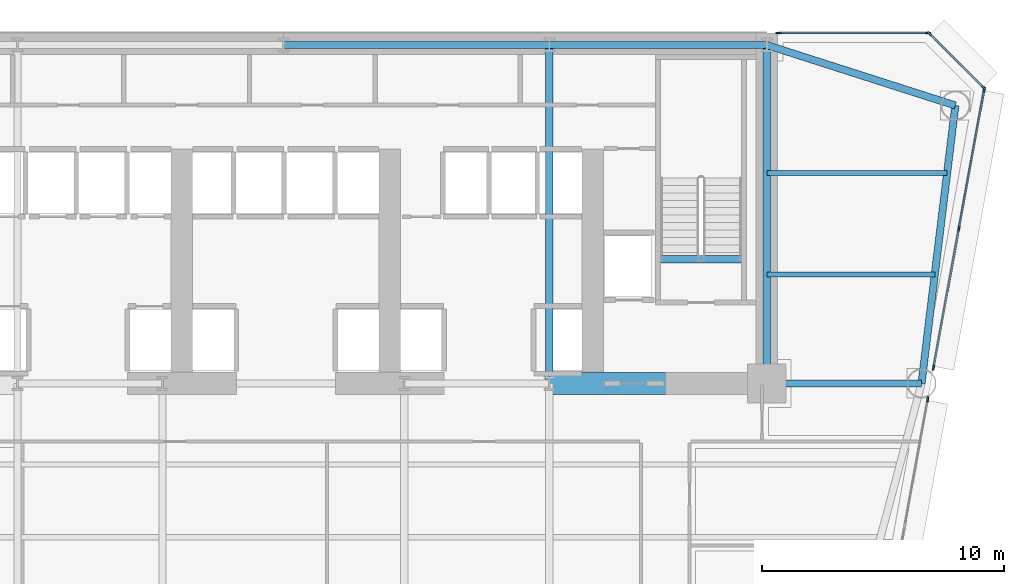
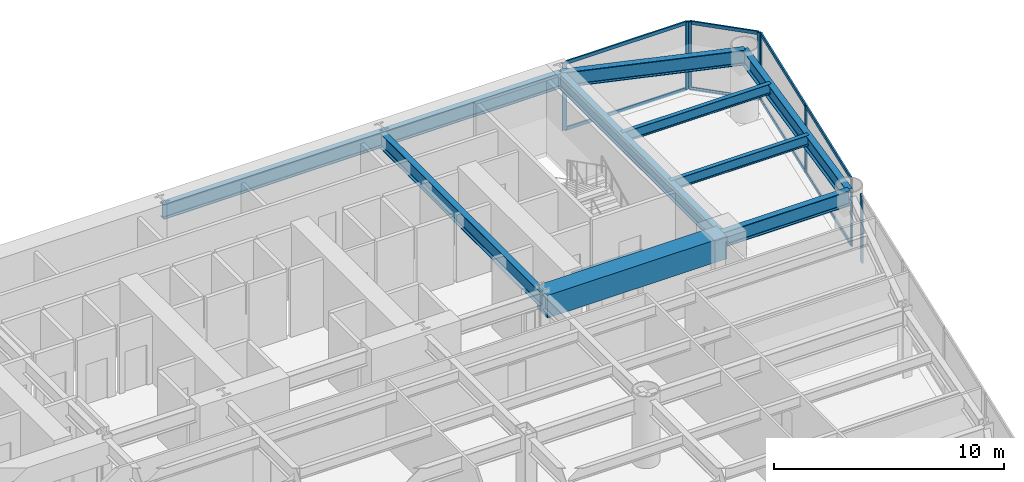
# One storey, part 6 of 14: 16 members, 11 beams, 4 elements without a shape of their own.
"""IFC4 building model written with IfcOpenShell, lengths in metres."""

from ifc_helpers import new_model, si_unit, direction, frame, origin, origin_2d, place, context, subcontext, project, spatial, rectangle, i_section, extrude, source, transform, mapped, material, layer, layer_set, material_profile, profile_set, type_object, element, aggregate, save


model = new_model("IFC4")

# Units and contexts
model_context = context("Model", 3, precision=1e-05, world=origin(), true_north=direction((0.0, 1.0)))
body_context = subcontext(model_context, "Body", "Model", "MODEL_VIEW")
ifc_project = project(units=[si_unit("LENGTHUNIT", "METRE"), si_unit("AREAUNIT", "SQUARE_METRE"), si_unit("VOLUMEUNIT", "CUBIC_METRE"), si_unit("PLANEANGLEUNIT", "RADIAN"), si_unit("MASSUNIT", "GRAM", prefix="KILO")], contexts=[model_context])

# Site, building, storey
site_placement = place(None, origin())
site = spatial("IfcSite", under=ifc_project, at=site_placement, CompositionType="ELEMENT")
building_placement = place(site_placement, origin())
building = spatial("IfcBuilding", under=site, at=building_placement, Name="Vaeldorn Concourse Tower", CompositionType="ELEMENT")
storey_placement = place(building_placement, frame((0.0, 0.0, 49.199951171875)))
storey = spatial("IfcBuildingStorey", under=building, at=storey_placement, Name="L12", CompositionType="ELEMENT", Elevation=49.199951171875)

# Beams
ifc_material_1 = material(Name="Concrete C60/75", Category="concrete")
ifc_material_profile_1 = material_profile(ifc_material_1, rectangle(XDim=0.89990234375, YDim=1.199951171875, at=origin_2d()), Name="RC 900x1200")
ifc_profile_set_1 = profile_set([ifc_material_profile_1], Name="Concrete C60/75")
beam_type_1 = type_object("IfcBeamType", Name="BM-CB-RC900", PredefinedType="BEAM", material=ifc_profile_set_1)
shared_shape_1 = source(origin(), body_context, "Body", "SweptSolid", [
    extrude(rectangle(XDim=0.89990234375, YDim=1.199951171875, at=origin_2d()), origin(), (0.0, 0.0, 1.0), 9.0),
])
beam_1_placement = place(storey_placement, frame((45.0, 36.5, 2.97998046875), z_axis=(1.0, 0.0, 0.0), x_axis=(0.0, 1.0, 0.0)))
element("IfcBeam", 1, at=beam_1_placement, inside=storey, type_object=beam_type_1, Name="Core Coupling Beam L12-2", PredefinedType="BEAM", context=body_context, shape_type="MappedRepresentation", body=[
    mapped(shared_shape_1, transform((0.0, 0.0, 0.0), scale=1.0)),
])
ifc_material_2 = material(Name="Steel S355", Category="steel")
ifc_material_profile_2 = material_profile(ifc_material_2, i_section(OverallWidth=0.300048828125, OverallDepth=0.340087890625, WebThickness=0.011962890625, FlangeThickness=0.021484375, FilletRadius=0.027099609375, at=origin_2d()), Name="HEB 340")
ifc_profile_set_2 = profile_set([ifc_material_profile_2], Name="Steel S355")
beam_type_2 = type_object("IfcBeamType", Name="BM-ST-TRIM", PredefinedType="BEAM", material=ifc_profile_set_2)
shared_shape_2 = source(origin(), body_context, "Body", "SweptSolid", [
    extrude(i_section(OverallWidth=0.300048828125, OverallDepth=0.340087890625, WebThickness=0.011962890625, FlangeThickness=0.021484375, FilletRadius=0.027099609375, at=origin_2d()), origin(), (0.0, 0.0, 1.0), 3.590087890625),
])
beam_2_placement = place(storey_placement, frame((49.47998046875, 41.639892578125, -0.389892578125), z_axis=(1.0, 0.0, 0.0), x_axis=(0.0, 1.0, 0.0)))
element("IfcBeam", 2, at=beam_2_placement, inside=storey, type_object=beam_type_2, Name="Stair Landing Trimmer Beam ST-2 L12", PredefinedType="BEAM", context=body_context, shape_type="MappedRepresentation", body=[
    mapped(shared_shape_2, transform((0.0, 0.0, 0.0), scale=1.0)),
])
ifc_material_profile_3 = material_profile(ifc_material_2, i_section(OverallWidth=0.300048828125, OverallDepth=0.800048828125, WebThickness=0.017578125, FlangeThickness=0.032958984375, FilletRadius=0.030029296875, at=origin_2d()), Name="HEB 800")
ifc_profile_set_3 = profile_set([ifc_material_profile_3], Name="Steel S355")
beam_type_3 = type_object("IfcBeamType", Name="BM-PG-HEB800", PredefinedType="BEAM", material=ifc_profile_set_3)
shared_shape_3 = source(origin(), body_context, "Body", "SweptSolid", [
    extrude(i_section(OverallWidth=0.300048828125, OverallDepth=0.800048828125, WebThickness=0.017578125, FlangeThickness=0.032958984375, FilletRadius=0.030029296875, at=origin_2d()), origin(), (0.0, 0.0, 1.0), 9.0),
])
beam_3_placement = place(storey_placement, frame((45.0, 50.5, 3.179931640625), z_axis=(1.0, 0.0, 0.0), x_axis=(0.0, 1.0, 0.0)))
element("IfcBeam", 3, at=beam_3_placement, inside=storey, type_object=beam_type_3, Name="Beam BM-L12-C-HC4-C-HC5", PredefinedType="BEAM", context=body_context, shape_type="MappedRepresentation", body=[
    mapped(shared_shape_3, transform((0.0, 0.0, 0.0), scale=1.0)),
])
shared_shape_4 = source(origin(), body_context, "Body", "SweptSolid", [
    extrude(i_section(OverallWidth=0.300048828125, OverallDepth=0.800048828125, WebThickness=0.017578125, FlangeThickness=0.032958984375, FilletRadius=0.030029296875, at=origin_2d()), origin(), (0.0, 0.0, 1.0), 11.0),
])
beam_4_placement = place(storey_placement, frame((34.0, 50.5, 3.179931640625), z_axis=(1.0, 0.0, 0.0), x_axis=(0.0, 1.0, 0.0)))
element("IfcBeam", 4, at=beam_4_placement, inside=storey, type_object=beam_type_3, Name="Beam BM-L12-C-HC3-C-HC4", PredefinedType="BEAM", context=body_context, shape_type="MappedRepresentation", body=[
    mapped(shared_shape_4, transform((0.0, 0.0, 0.0), scale=1.0)),
])
shared_shape_5 = source(origin(), body_context, "Body", "SweptSolid", [
    extrude(i_section(OverallWidth=0.300048828125, OverallDepth=0.800048828125, WebThickness=0.017578125, FlangeThickness=0.032958984375, FilletRadius=0.030029296875, at=origin_2d()), origin(), (0.0, 0.0, 1.0), 14.0),
])
for number, where, z_axis, x_axis, name in (
    (5, (45.0, 36.5, 3.179931640625), (0.0, 1.0, 0.0), (-1.0, 0.0, 0.0), "Beam BM-L12-C-FC5-C-HC4"),
    (6, (54.0, 36.5, 3.179931640625), (0.0, 1.0, 0.0), (-1.0, 0.0, 0.0), "Beam BM-L12-C-FC6-C-HC5"),
):
    element("IfcBeam", number, at=place(storey_placement, frame(where, z_axis=z_axis, x_axis=x_axis)), inside=storey, type_object=beam_type_3, Name=name, PredefinedType="BEAM", context=body_context, shape_type="MappedRepresentation", body=[
        mapped(shared_shape_5, transform((0.0, 0.0, 0.0), scale=1.0)),
    ])
shared_shape_6 = source(origin(), body_context, "Body", "SweptSolid", [
    extrude(i_section(OverallWidth=0.300048828125, OverallDepth=0.800048828125, WebThickness=0.017578125, FlangeThickness=0.032958984375, FilletRadius=0.030029296875, at=origin_2d()), origin(), (0.0, 0.0, 1.0), 8.19091796875),
])
beam_5_placement = place(storey_placement, frame((54.0, 50.5, 3.179931640625), z_axis=(0.952282843383, -0.305216949396, 0.0), x_axis=(0.305216949396, 0.952282843383, 0.0)))
element("IfcBeam", 7, at=beam_5_placement, inside=storey, type_object=beam_type_3, Name="Beam BM-L12-C-HC5-C-NE1", PredefinedType="BEAM", context=body_context, shape_type="MappedRepresentation", body=[
    mapped(shared_shape_6, transform((0.0, 0.0, 0.0), scale=1.0)),
])
shared_shape_7 = source(origin(), body_context, "Body", "SweptSolid", [
    extrude(i_section(OverallWidth=0.300048828125, OverallDepth=0.800048828125, WebThickness=0.017578125, FlangeThickness=0.032958984375, FilletRadius=0.030029296875, at=origin_2d()), origin(), (0.0, 0.0, 1.0), 11.5849609375),
])
beam_6_placement = place(storey_placement, frame((61.800048828125, 48.0, 3.179931640625), z_axis=(-0.120859382899, -0.992669637677, 0.0), x_axis=(0.992669637677, -0.120859382899, 0.0)))
element("IfcBeam", 8, at=beam_6_placement, inside=storey, type_object=beam_type_3, Name="Beam BM-L12-C-NE1-C-NE2", PredefinedType="BEAM", context=body_context, shape_type="MappedRepresentation", body=[
    mapped(shared_shape_7, transform((0.0, 0.0, 0.0), scale=1.0)),
])
shared_shape_8 = source(origin(), body_context, "Body", "SweptSolid", [
    extrude(i_section(OverallWidth=0.300048828125, OverallDepth=0.800048828125, WebThickness=0.017578125, FlangeThickness=0.032958984375, FilletRadius=0.030029296875, at=origin_2d()), origin(), (0.0, 0.0, 1.0), 6.39990234375),
])
beam_7_placement = place(storey_placement, frame((54.0, 36.5, 3.179931640625), z_axis=(1.0, 0.0, 0.0), x_axis=(0.0, 1.0, 0.0)))
element("IfcBeam", 9, at=beam_7_placement, inside=storey, type_object=beam_type_3, Name="Beam BM-L12-C-FC6-C-NE2", PredefinedType="BEAM", context=body_context, shape_type="MappedRepresentation", body=[
    mapped(shared_shape_8, transform((0.0, 0.0, 0.0), scale=1.0)),
])
ifc_material_profile_4 = material_profile(ifc_material_2, i_section(OverallWidth=0.2099609375, OverallDepth=0.550048828125, WebThickness=0.010986328125, FlangeThickness=0.01708984375, FilletRadius=0.02392578125, at=origin_2d()), Name="IPE 550")
ifc_profile_set_4 = profile_set([ifc_material_profile_4], Name="Steel S355")
beam_type_4 = type_object("IfcBeamType", Name="BM-JS-IPE550", PredefinedType="JOIST", material=ifc_profile_set_4)
shared_shape_9 = source(origin(), body_context, "Body", "SweptSolid", [
    extrude(i_section(OverallWidth=0.2099609375, OverallDepth=0.550048828125, WebThickness=0.010986328125, FlangeThickness=0.01708984375, FilletRadius=0.02392578125, at=origin_2d()), origin(), (0.0, 0.0, 1.0), 6.94775390625),
])
beam_8_placement = place(storey_placement, frame((54.0, 41.0, 3.304931640625), z_axis=(1.0, 0.0, 0.0), x_axis=(0.0, 1.0, 0.0)))
element("IfcBeam", 10, at=beam_8_placement, inside=storey, type_object=beam_type_4, Name="Beam JS-L12-NE-410", PredefinedType="JOIST", context=body_context, shape_type="MappedRepresentation", body=[
    mapped(shared_shape_9, transform((0.0, 0.0, 0.0), scale=1.0)),
])
shared_shape_10 = source(origin(), body_context, "Body", "SweptSolid", [
    extrude(i_section(OverallWidth=0.2099609375, OverallDepth=0.550048828125, WebThickness=0.010986328125, FlangeThickness=0.01708984375, FilletRadius=0.02392578125, at=origin_2d()), origin(), (0.0, 0.0, 1.0), 7.458984375),
])
beam_9_placement = place(storey_placement, frame((54.0, 45.199951171875, 3.304931640625), z_axis=(1.0, 0.0, 0.0), x_axis=(0.0, 1.0, 0.0)))
element("IfcBeam", 11, at=beam_9_placement, inside=storey, type_object=beam_type_4, Name="Beam JS-L12-NE-452", PredefinedType="JOIST", context=body_context, shape_type="MappedRepresentation", body=[
    mapped(shared_shape_10, transform((0.0, 0.0, 0.0), scale=1.0)),
])

# Curtain wall, members
ifc_material_3 = material(Name="Anodised Bronze Aluminium", Category="aluminium")
ifc_layer = layer(ifc_material_3, 0.219970703125)
ifc_layer_set = layer_set([ifc_layer], Name="Anodised Bronze Aluminium")
curtain_wall_type = type_object("IfcCurtainWallType", Name="CW-SYS-01", PredefinedType="NOTDEFINED", material=ifc_layer_set)
curtain_wall_1_placement = place(storey_placement, origin())
curtain_wall_1 = element("IfcCurtainWall", 12, at=curtain_wall_1_placement, inside=storey, type_object=curtain_wall_type, Name="Unitised Curtain Wall CW-L12-E08-1", PredefinedType="NOTDEFINED")
ifc_material_profile_5 = material_profile(ifc_material_3, rectangle(XDim=0.074951171875, YDim=0.179931640625, at=origin_2d()), Name="CWT 75x180")
ifc_profile_set_5 = profile_set([ifc_material_profile_5], Name="Anodised Bronze Aluminium")
member_type_1 = type_object("IfcMemberType", Name="CWT-BRONZE-180", PredefinedType="USERDEFINED", material=ifc_profile_set_5)
shared_shape_11 = source(origin(), body_context, "Body", "SweptSolid", [
    extrude(rectangle(XDim=0.074951171875, YDim=0.179931640625, at=origin_2d()), origin(), (0.0, 0.0, 1.0), 3.10302734375),
])
member_1_placement = place(storey_placement, frame((62.947021484375, 48.7529296875, 0.03759765625), z_axis=(-0.707106781187, 0.707106781187, 0.0), x_axis=(-0.707106781187, -0.707106781187, 0.0)))
member_1 = element("IfcMember", 13, at=member_1_placement, type_object=member_type_1, Name="CW-01 transom 1.1", ObjectType="TRANSOM", PredefinedType="USERDEFINED", context=body_context, shape_type="MappedRepresentation", body=[
    mapped(shared_shape_11, transform((0.0, 0.0, 0.0), scale=1.0)),
])
member_2_placement = place(storey_placement, frame((62.947021484375, 48.7529296875, 3.54248046875), z_axis=(-0.707106781187, 0.707106781187, 0.0), x_axis=(-0.707106781187, -0.707106781187, 0.0)))
member_2 = element("IfcMember", 14, at=member_2_placement, type_object=member_type_1, Name="CW-01 transom 1.2", ObjectType="TRANSOM", PredefinedType="USERDEFINED", context=body_context, shape_type="MappedRepresentation", body=[
    mapped(shared_shape_11, transform((0.0, 0.0, 0.0), scale=1.0)),
])

curtain_wall_2_placement = place(storey_placement, origin())
curtain_wall_2 = element("IfcCurtainWall", 15, at=curtain_wall_2_placement, inside=storey, type_object=curtain_wall_type, Name="Unitised Curtain Wall CW-L12-E09-1", PredefinedType="NOTDEFINED")
shared_shape_12 = source(origin(), body_context, "Body", "SweptSolid", [
    extrude(rectangle(XDim=0.074951171875, YDim=0.179931640625, at=origin_2d()), origin(), (0.0, 0.0, 1.0), 6.10498046875),
])
member_3_placement = place(storey_placement, frame((60.625, 51.0, 0.03759765625), z_axis=(-1.0, 0.0, 0.0), x_axis=(0.0, -1.0, 0.0)))
member_3 = element("IfcMember", 16, at=member_3_placement, type_object=member_type_1, Name="CW-01 transom 1.1", ObjectType="TRANSOM", PredefinedType="USERDEFINED", context=body_context, shape_type="MappedRepresentation", body=[
    mapped(shared_shape_12, transform((0.0, 0.0, 0.0), scale=1.0)),
])
member_4_placement = place(storey_placement, frame((60.625, 51.0, 3.54248046875), z_axis=(-1.0, 0.0, 0.0), x_axis=(0.0, -1.0, 0.0)))
member_4 = element("IfcMember", 17, at=member_4_placement, type_object=member_type_1, Name="CW-01 transom 1.2", ObjectType="TRANSOM", PredefinedType="USERDEFINED", context=body_context, shape_type="MappedRepresentation", body=[
    mapped(shared_shape_12, transform((0.0, 0.0, 0.0), scale=1.0)),
])

# Curtain wall, member
curtain_wall_3_placement = place(storey_placement, origin())
curtain_wall_3 = element("IfcCurtainWall", 18, at=curtain_wall_3_placement, inside=storey, type_object=curtain_wall_type, Name="Unitised Curtain Wall CW-L12-E07-1", PredefinedType="NOTDEFINED")
ifc_material_profile_6 = material_profile(ifc_material_3, rectangle(XDim=0.074951171875, YDim=0.219970703125, at=origin_2d()), Name="CWM 75x220")
ifc_profile_set_6 = profile_set([ifc_material_profile_6], Name="Anodised Bronze Aluminium")
member_type_2 = type_object("IfcMemberType", Name="CWM-BRONZE-220", PredefinedType="MULLION", material=ifc_profile_set_6)
shared_shape_13 = source(origin(), body_context, "Body", "SweptSolid", [
    extrude(rectangle(XDim=0.074951171875, YDim=0.219970703125, at=origin_2d()), origin(), (0.0, 0.0, 1.0), 3.580078125),
])
member_5_placement = place(storey_placement, frame((60.659423828125, 35.843505859375, 0.0), z_axis=(0.0, 0.0, 1.0), x_axis=(-0.983827780803, 0.179116994505, 0.0)))
member_5 = element("IfcMember", 19, at=member_5_placement, type_object=member_type_2, Name="CW-01 mullion 7", PredefinedType="MULLION", context=body_context, shape_type="MappedRepresentation", body=[
    mapped(shared_shape_13, transform((0.0, 0.0, 0.0), scale=1.0)),
])
aggregate(curtain_wall_3, [member_5])

# Curtain wall, members
curtain_wall_4_placement = place(storey_placement, origin())
curtain_wall_4 = element("IfcCurtainWall", 20, at=curtain_wall_4_placement, inside=storey, type_object=curtain_wall_type, Name="Unitised Curtain Wall CW-L12-E07-2", PredefinedType="NOTDEFINED")
member_6_placement = place(storey_placement, frame((60.8984375, 37.156494140625, 0.0), z_axis=(0.0, 0.0, 1.0), x_axis=(-0.98382720045, 0.179120182152, 0.0)))
member_6 = element("IfcMember", 21, at=member_6_placement, type_object=member_type_2, Name="CW-01 mullion 1", PredefinedType="MULLION", context=body_context, shape_type="MappedRepresentation", body=[
    mapped(shared_shape_13, transform((0.0, 0.0, 0.0), scale=1.0)),
])
member_7_placement = place(storey_placement, frame((61.94580078125, 42.90966796875, 0.0), z_axis=(0.0, 0.0, 1.0), x_axis=(-0.98382720045, 0.179120182152, 0.0)))
member_7 = element("IfcMember", 22, at=member_7_placement, type_object=member_type_2, Name="CW-01 mullion 2", PredefinedType="MULLION", context=body_context, shape_type="MappedRepresentation", body=[
    mapped(shared_shape_13, transform((0.0, 0.0, 0.0), scale=1.0)),
])
member_8_placement = place(storey_placement, frame((62.9931640625, 48.6630859375, 0.0), z_axis=(0.0, 0.0, 1.0), x_axis=(-0.98382720045, 0.179120182152, 0.0)))
member_8 = element("IfcMember", 23, at=member_8_placement, type_object=member_type_2, Name="CW-01 mullion 3", PredefinedType="MULLION", context=body_context, shape_type="MappedRepresentation", body=[
    mapped(shared_shape_13, transform((0.0, 0.0, 0.0), scale=1.0)),
])

# Member
member_9_placement = place(storey_placement, frame((62.973388671875, 48.7265625, 0.0), z_axis=(0.0, 0.0, 1.0), x_axis=(-0.707106781187, -0.707106781187, 0.0)))
member_9 = element("IfcMember", 24, at=member_9_placement, type_object=member_type_2, Name="CW-01 mullion 1", PredefinedType="MULLION", context=body_context, shape_type="MappedRepresentation", body=[
    mapped(shared_shape_13, transform((0.0, 0.0, 0.0), scale=1.0)),
])

member_10_placement = place(storey_placement, frame((60.7265625, 50.973388671875, 0.0), z_axis=(0.0, 0.0, 1.0), x_axis=(-0.707106781187, -0.707106781187, 0.0)))
member_10 = element("IfcMember", 25, at=member_10_placement, type_object=member_type_2, Name="CW-01 mullion 2", PredefinedType="MULLION", context=body_context, shape_type="MappedRepresentation", body=[
    mapped(shared_shape_13, transform((0.0, 0.0, 0.0), scale=1.0)),
])

aggregate(curtain_wall_1, [member_9, member_10, member_1, member_2])

member_11_placement = place(storey_placement, frame((60.66259765625, 51.0, 0.0), z_axis=(0.0, 0.0, 1.0), x_axis=(0.0, -1.0, 0.0)))
member_11 = element("IfcMember", 26, at=member_11_placement, type_object=member_type_2, Name="CW-01 mullion 1", PredefinedType="MULLION", context=body_context, shape_type="MappedRepresentation", body=[
    mapped(shared_shape_13, transform((0.0, 0.0, 0.0), scale=1.0)),
])

member_12_placement = place(storey_placement, frame((54.482421875, 51.0, 0.0), z_axis=(0.0, 0.0, 1.0), x_axis=(0.0, -1.0, 0.0)))
member_12 = element("IfcMember", 27, at=member_12_placement, type_object=member_type_2, Name="CW-01 mullion 2", PredefinedType="MULLION", context=body_context, shape_type="MappedRepresentation", body=[
    mapped(shared_shape_13, transform((0.0, 0.0, 0.0), scale=1.0)),
])

aggregate(curtain_wall_2, [member_11, member_12, member_3, member_4])

shared_shape_14 = source(origin(), body_context, "Body", "SweptSolid", [
    extrude(rectangle(XDim=0.074951171875, YDim=0.179931640625, at=origin_2d()), origin(), (0.0, 0.0, 1.0), 5.772705078125),
])
member_13_placement = place(storey_placement, frame((60.905029296875, 37.193359375, 0.03759765625), z_axis=(0.179105011837, 0.983829962308, 0.0), x_axis=(-0.983829962308, 0.179105011837, 0.0)))
member_13 = element("IfcMember", 28, at=member_13_placement, type_object=member_type_1, Name="CW-01 transom 1.1", ObjectType="TRANSOM", PredefinedType="USERDEFINED", context=body_context, shape_type="MappedRepresentation", body=[
    mapped(shared_shape_14, transform((0.0, 0.0, 0.0), scale=1.0)),
])

member_14_placement = place(storey_placement, frame((60.905029296875, 37.193359375, 3.54248046875), z_axis=(0.179105011837, 0.983829962308, 0.0), x_axis=(-0.983829962308, 0.179105011837, 0.0)))
member_14 = element("IfcMember", 29, at=member_14_placement, type_object=member_type_1, Name="CW-01 transom 1.2", ObjectType="TRANSOM", PredefinedType="USERDEFINED", context=body_context, shape_type="MappedRepresentation", body=[
    mapped(shared_shape_14, transform((0.0, 0.0, 0.0), scale=1.0)),
])

shared_shape_15 = source(origin(), body_context, "Body", "SweptSolid", [
    extrude(rectangle(XDim=0.074951171875, YDim=0.179931640625, at=origin_2d()), origin(), (0.0, 0.0, 1.0), 5.77294921875),
])
member_15_placement = place(storey_placement, frame((61.95263671875, 42.946533203125, 0.03759765625), z_axis=(0.179097559983, 0.983831318879, 0.0), x_axis=(-0.983831318879, 0.179097559983, 0.0)))
member_15 = element("IfcMember", 30, at=member_15_placement, type_object=member_type_1, Name="CW-01 transom 2.1", ObjectType="TRANSOM", PredefinedType="USERDEFINED", context=body_context, shape_type="MappedRepresentation", body=[
    mapped(shared_shape_15, transform((0.0, 0.0, 0.0), scale=1.0)),
])

member_16_placement = place(storey_placement, frame((61.95263671875, 42.946533203125, 3.54248046875), z_axis=(0.179097559983, 0.983831318879, 0.0), x_axis=(-0.983831318879, 0.179097559983, 0.0)))
member_16 = element("IfcMember", 31, at=member_16_placement, type_object=member_type_1, Name="CW-01 transom 2.2", ObjectType="TRANSOM", PredefinedType="USERDEFINED", context=body_context, shape_type="MappedRepresentation", body=[
    mapped(shared_shape_15, transform((0.0, 0.0, 0.0), scale=1.0)),
])

aggregate(curtain_wall_4, [member_6, member_7, member_8, member_13, member_14, member_15, member_16])

save(model, "model.ifc")
